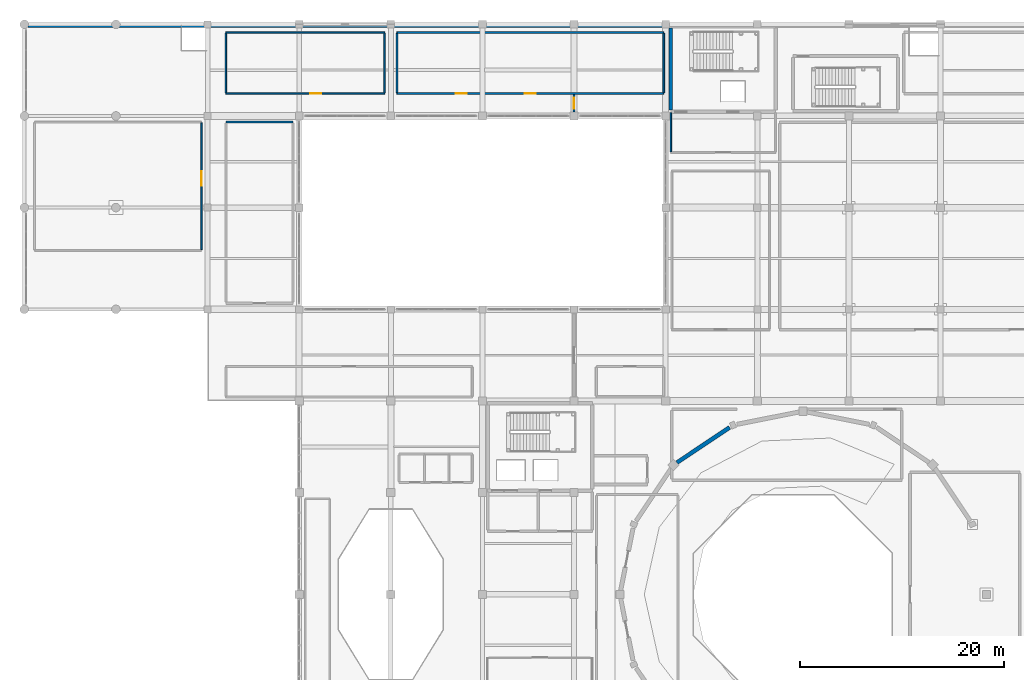
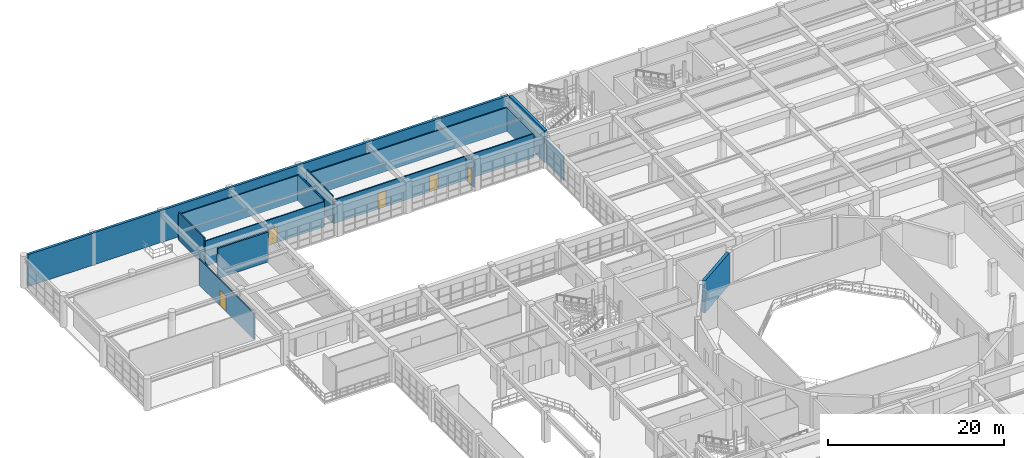
# One storey, part 112 of 133: 15 walls, 5 doors, 5 openings.
"""IFC4 building model written with IfcOpenShell, lengths in metres."""

from ifc_helpers import new_model, si_unit, direction, frame, frame_2d, origin, place, context, subcontext, project, spatial, rectangle, extrude, material, layer, layer_set, type_object, element, fill, save


model = new_model("IFC4")

# Units and contexts
model_context = context("Model", 3, precision=1e-05, world=origin(), true_north=direction((0.0, 1.0)))
body_context = subcontext(model_context, "Body", "Model", "MODEL_VIEW")
ifc_project = project(units=[si_unit("LENGTHUNIT", "METRE"), si_unit("AREAUNIT", "SQUARE_METRE"), si_unit("VOLUMEUNIT", "CUBIC_METRE"), si_unit("PLANEANGLEUNIT", "RADIAN"), si_unit("MASSUNIT", "GRAM", prefix="KILO")], contexts=[model_context])

# Site, building, storey
site_placement = place(None, origin())
site = spatial("IfcSite", under=ifc_project, at=site_placement, CompositionType="ELEMENT")
building_placement = place(site_placement, origin())
building = spatial("IfcBuilding", under=site, at=building_placement, Name="Miravela Opera House", CompositionType="ELEMENT")
storey_placement = place(building_placement, frame((0.0, 0.0, 5.10009765625)))
storey = spatial("IfcBuildingStorey", under=building, at=storey_placement, Name="L01", CompositionType="ELEMENT", Elevation=5.10009765625)

# Wall
ifc_material_1 = material(Name="Studio double-stud acoustic partition")
ifc_layer_1 = layer(ifc_material_1, 0.14990234375)
ifc_layer_set_1 = layer_set([ifc_layer_1])
wall_type_1 = type_object("IfcWallType", Name="ARC-PT-145", PredefinedType="PARTITIONING", material=ifc_layer_set_1)
wall_1_placement = place(storey_placement, frame((63.5, 99.47509765625, 0.0), z_axis=(0.0, 0.0, 1.0), x_axis=(0.0, 1.0, 0.0)))
element("IfcWall", 1, at=wall_1_placement, inside=storey, type_object=wall_type_1, Name="Passenger Lift Lobby K5 L01 Partition West", PredefinedType="PARTITIONING", context=body_context, shape_type="SweptSolid", body=[
    extrude(rectangle(XDim=3.849853515625, YDim=0.14990234375, at=frame_2d((1.9248046875, 0.0))), origin(), (0.0, 0.0, 1.0), 3.289794921875),
])

# Wall, opening, door
wall_2_placement = place(storey_placement, frame((19.800048828125, 105.199951171875, 0.0), z_axis=(0.0, 0.0, 1.0), x_axis=(1.0, 0.0, 0.0)))
wall_2 = element("IfcWall", 2, at=wall_2_placement, inside=storey, type_object=wall_type_1, Name="Vocal Coaching Studio 1 Partition South", PredefinedType="PARTITIONING", context=body_context, shape_type="SweptSolid", body=[
    extrude(rectangle(XDim=15.599853515625, YDim=0.14990234375, at=frame_2d((7.7998046875, 0.0))), origin(), (0.0, 0.0, 1.0), 3.489990234375),
])
opening_1_placement = place(wall_2_placement, frame((8.2744140625, 0.0, 0.0)))
opening_1 = element("IfcOpeningElement", 3, at=opening_1_placement, cuts=wall_2, Name="Opening ID-03", PredefinedType="OPENING", context=body_context, shape_type="SweptSolid", body=[
    extrude(rectangle(XDim=1.10009765625, YDim=2.199951171875, at=frame_2d((0.550048828125, 1.10009765625))), frame((0.0, 0.0849609375, 0.0), z_axis=(0.0, -1.0, 0.0), x_axis=(1.0, 0.0, 0.0)), (0.0, 0.0, 1.0), 0.169921875),
])
ifc_material_2 = material(Name="Acoustic hardwood studio door", Category="wood")
door_type_1 = type_object("IfcDoorType", Name="ARC-DR-1100X2200", OperationType="NOTDEFINED", PredefinedType="DOOR", material=ifc_material_2)
door_1_placement = place(opening_1_placement, origin())
door_1 = element("IfcDoor", 4, at=door_1_placement, inside=storey, type_object=door_type_1, Name="Vocal Coaching Studio 1 Entry Door IDR-L01-0170", OperationType="SINGLE_SWING_RIGHT", OverallHeight=2.199951171875, OverallWidth=1.10009765625, PredefinedType="DOOR", context=body_context, shape_type="SweptSolid", body=[
    extrude(rectangle(XDim=1.10009765625, YDim=2.199951171875, at=frame_2d((0.550048828125, 1.10009765625))), frame((0.0, 0.02490234375, 0.0), z_axis=(0.0, -1.0, 0.0), x_axis=(1.0, 0.0, 0.0)), (0.0, 0.0, 1.0), 0.050048828125),
])
fill(opening_1, door_1)

# Walls
wall_3_placement = place(storey_placement, frame((19.800048828125, 111.199951171875, 0.0), z_axis=(0.0, 0.0, 1.0), x_axis=(1.0, 0.0, 0.0)))
element("IfcWall", 5, at=wall_3_placement, inside=storey, type_object=wall_type_1, Name="Vocal Coaching Studio 1 Partition North", PredefinedType="PARTITIONING", context=body_context, shape_type="SweptSolid", body=[
    extrude(rectangle(XDim=15.599853515625, YDim=0.14990234375, at=frame_2d((7.7998046875, 0.0))), origin(), (0.0, 0.0, 1.0), 3.489990234375),
])
wall_4_placement = place(storey_placement, frame((19.800048828125, 105.27490234375, 0.0), z_axis=(0.0, 0.0, 1.0), x_axis=(0.0, 1.0, 0.0)))
element("IfcWall", 6, at=wall_4_placement, inside=storey, type_object=wall_type_1, Name="Vocal Coaching Studio 1 Partition West", PredefinedType="PARTITIONING", context=body_context, shape_type="SweptSolid", body=[
    extrude(rectangle(XDim=5.85009765625, YDim=0.14990234375, at=frame_2d((2.925048828125, 0.0))), origin(), (0.0, 0.0, 1.0), 3.886962890625),
])
wall_5_placement = place(storey_placement, frame((35.39990234375, 105.27490234375, 0.0), z_axis=(0.0, 0.0, 1.0), x_axis=(0.0, 1.0, 0.0)))
element("IfcWall", 7, at=wall_5_placement, inside=storey, type_object=wall_type_1, Name="Vocal Coaching Studio 1 Partition East", PredefinedType="PARTITIONING", context=body_context, shape_type="SweptSolid", body=[
    extrude(rectangle(XDim=5.85009765625, YDim=0.14990234375, at=frame_2d((2.925048828125, 0.0))), origin(), (0.0, 0.0, 1.0), 3.679931640625),
])

# Wall, opening, door
wall_6_placement = place(storey_placement, frame((17.39990234375, 89.875, 0.0), z_axis=(0.0, 0.0, 1.0), x_axis=(0.0, 1.0, 0.0)))
wall_6 = element("IfcWall", 8, at=wall_6_placement, inside=storey, type_object=wall_type_1, Name="Community Opera Lecture Room Partition East", PredefinedType="PARTITIONING", context=body_context, shape_type="SweptSolid", body=[
    extrude(rectangle(XDim=12.449951171875, YDim=0.14990234375, at=frame_2d((6.22509765625, 0.0))), origin(), (0.0, 0.0, 1.0), 3.616943359375),
])
opening_2_placement = place(wall_6_placement, frame((6.290771484375, 0.0, 0.0)))
opening_2 = element("IfcOpeningElement", 9, at=opening_2_placement, cuts=wall_6, Name="Opening ID-05", PredefinedType="OPENING", context=body_context, shape_type="SweptSolid", body=[
    extrude(rectangle(XDim=1.39990234375, YDim=2.199951171875, at=frame_2d((0.699951171875, 1.10009765625))), frame((0.0, 0.0849609375, 0.0), z_axis=(0.0, -1.0, 0.0), x_axis=(1.0, 0.0, 0.0)), (0.0, 0.0, 1.0), 0.169921875),
])
ifc_material_3 = material(Name="Double-leaf glazed mahogany salon door")
door_type_2 = type_object("IfcDoorType", Name="ARC-DR-1400X2200", OperationType="NOTDEFINED", PredefinedType="DOOR", material=ifc_material_3)
door_2_placement = place(opening_2_placement, origin())
door_2 = element("IfcDoor", 10, at=door_2_placement, inside=storey, type_object=door_type_2, Name="Community Opera Lecture Room Entry Door IDR-L01-0185", OperationType="DOUBLE_DOOR_SINGLE_SWING", OverallHeight=2.199951171875, OverallWidth=1.39990234375, PredefinedType="DOOR", context=body_context, shape_type="SweptSolid", body=[
    extrude(rectangle(XDim=1.39990234375, YDim=2.199951171875, at=frame_2d((0.699951171875, 1.10009765625))), frame((0.0, 0.02490234375, 0.0), z_axis=(0.0, -1.0, 0.0), x_axis=(1.0, 0.0, 0.0)), (0.0, 0.0, 1.0), 0.050048828125),
])
fill(opening_2, door_2)

# Wall, openings, doors
ifc_material_4 = material(Name="Rehearsal isolated acoustic partition")
ifc_layer_2 = layer(ifc_material_4, 0.169921875)
ifc_layer_set_2 = layer_set([ifc_layer_2])
wall_type_2 = type_object("IfcWallType", Name="ARC-PT-170", PredefinedType="PARTITIONING", material=ifc_layer_set_2)
wall_7_placement = place(storey_placement, frame((36.60009765625, 105.199951171875, 0.0), z_axis=(0.0, 0.0, 1.0), x_axis=(1.0, 0.0, 0.0)))
wall_7 = element("IfcWall", 11, at=wall_7_placement, inside=storey, type_object=wall_type_2, Name="Vocal Coaching Studio 2 Partition South", PredefinedType="PARTITIONING", context=body_context, shape_type="SweptSolid", body=[
    extrude(rectangle(XDim=26.199951171875, YDim=0.169921875, at=frame_2d((13.10009765625, 0.0))), origin(), (0.0, 0.0, 1.0), 3.289794921875),
])
opening_3_placement = place(wall_7_placement, frame((12.550048828125, 0.0, 0.0)))
opening_3 = element("IfcOpeningElement", 12, at=opening_3_placement, cuts=wall_7, Name="Opening ID-03", PredefinedType="OPENING", context=body_context, shape_type="SweptSolid", body=[
    extrude(rectangle(XDim=1.10009765625, YDim=2.199951171875, at=frame_2d((0.550048828125, 1.10009765625))), frame((0.0, 0.094970703125, 0.0), z_axis=(0.0, -1.0, 0.0), x_axis=(1.0, 0.0, 0.0)), (0.0, 0.0, 1.0), 0.18994140625),
])
opening_4_placement = place(wall_7_placement, frame((5.763916015625, 0.0, 0.0)))
opening_4 = element("IfcOpeningElement", 13, at=opening_4_placement, cuts=wall_7, Name="Opening ID-03", PredefinedType="OPENING", context=body_context, shape_type="SweptSolid", body=[
    extrude(rectangle(XDim=1.10009765625, YDim=2.199951171875, at=frame_2d((0.550048828125, 1.10009765625))), frame((0.0, 0.094970703125, 0.0), z_axis=(0.0, -1.0, 0.0), x_axis=(1.0, 0.0, 0.0)), (0.0, 0.0, 1.0), 0.18994140625),
])
door_3_placement = place(opening_3_placement, origin())
door_3 = element("IfcDoor", 14, at=door_3_placement, inside=storey, type_object=door_type_1, Name="Vocal Coaching Studio 2 Entry Door IDR-L01-0171", OperationType="SINGLE_SWING_LEFT", OverallHeight=2.199951171875, OverallWidth=1.10009765625, PredefinedType="DOOR", context=body_context, shape_type="SweptSolid", body=[
    extrude(rectangle(XDim=1.10009765625, YDim=2.199951171875, at=frame_2d((0.550048828125, 1.10009765625))), frame((0.0, 0.02490234375, 0.0), z_axis=(0.0, -1.0, 0.0), x_axis=(1.0, 0.0, 0.0)), (0.0, 0.0, 1.0), 0.050048828125),
])
fill(opening_3, door_3)
door_4_placement = place(opening_4_placement, origin())
door_4 = element("IfcDoor", 15, at=door_4_placement, inside=storey, type_object=door_type_1, Name="Vocal Coaching Studio 2 Secondary Exit Door IDR-L01-0172", OperationType="SINGLE_SWING_RIGHT", OverallHeight=2.199951171875, OverallWidth=1.10009765625, PredefinedType="DOOR", context=body_context, shape_type="SweptSolid", body=[
    extrude(rectangle(XDim=1.10009765625, YDim=2.199951171875, at=frame_2d((0.550048828125, 1.10009765625))), frame((0.0, 0.02490234375, 0.0), z_axis=(0.0, -1.0, 0.0), x_axis=(1.0, 0.0, 0.0)), (0.0, 0.0, 1.0), 0.050048828125),
])
fill(opening_4, door_4)

# Walls
wall_8_placement = place(storey_placement, frame((36.60009765625, 111.199951171875, 0.0), z_axis=(0.0, 0.0, 1.0), x_axis=(1.0, 0.0, 0.0)))
element("IfcWall", 16, at=wall_8_placement, inside=storey, type_object=wall_type_2, Name="Vocal Coaching Studio 2 Partition North", PredefinedType="PARTITIONING", context=body_context, shape_type="SweptSolid", body=[
    extrude(rectangle(XDim=26.199951171875, YDim=0.169921875, at=frame_2d((13.10009765625, 0.0))), origin(), (0.0, 0.0, 1.0), 3.289794921875),
])
wall_9_placement = place(storey_placement, frame((36.60009765625, 105.284912109375, 0.0), z_axis=(0.0, 0.0, 1.0), x_axis=(0.0, 1.0, 0.0)))
element("IfcWall", 17, at=wall_9_placement, inside=storey, type_object=wall_type_2, Name="Vocal Coaching Studio 2 Partition West", PredefinedType="PARTITIONING", context=body_context, shape_type="SweptSolid", body=[
    extrude(rectangle(XDim=5.830078125, YDim=0.169921875, at=frame_2d((2.9150390625, 0.0))), origin(), (0.0, 0.0, 1.0), 3.831787109375),
])
wall_10_placement = place(storey_placement, frame((62.800048828125, 105.284912109375, 0.0), z_axis=(0.0, 0.0, 1.0), x_axis=(0.0, 1.0, 0.0)))
element("IfcWall", 18, at=wall_10_placement, inside=storey, type_object=wall_type_2, Name="Vocal Coaching Studio 2 Partition East", PredefinedType="PARTITIONING", context=body_context, shape_type="SweptSolid", body=[
    extrude(rectangle(XDim=5.830078125, YDim=0.169921875, at=frame_2d((2.9150390625, 0.0))), origin(), (0.0, 0.0, 1.0), 3.289794921875),
])

# Wall, opening, door
ifc_material_5 = material(Name="Corridor fire-resisting masonry partition", Category="masonry")
ifc_layer_3 = layer(ifc_material_5, 0.18994140625)
ifc_layer_set_3 = layer_set([ifc_layer_3])
wall_type_3 = type_object("IfcWallType", Name="ARC-PT-190", PredefinedType="PARTITIONING", material=ifc_layer_set_3)
wall_11_placement = place(storey_placement, frame((54.0, 103.39990234375, 0.0), z_axis=(0.0, 0.0, 1.0), x_axis=(0.0, 1.0, 0.0)))
wall_11 = element("IfcWall", 19, at=wall_11_placement, inside=storey, type_object=wall_type_3, Name="Corridor Fire Smoke Compartment Partition PT-SMOKE-L01-0961", PredefinedType="PARTITIONING", context=body_context, shape_type="SweptSolid", body=[
    extrude(rectangle(XDim=1.72021484375, YDim=0.18994140625, at=frame_2d((0.860107421875, 0.0))), origin(), (0.0, 0.0, 1.0), 3.289794921875),
])
opening_5_placement = place(wall_11_placement, frame((0.31005859375, 0.0, 0.0)))
opening_5 = element("IfcOpeningElement", 20, at=opening_5_placement, cuts=wall_11, Name="Opening FD-01", PredefinedType="OPENING", context=body_context, shape_type="SweptSolid", body=[
    extrude(rectangle(XDim=1.10009765625, YDim=2.199951171875, at=frame_2d((0.550048828125, 1.10009765625))), frame((0.0, 0.10498046875, 0.0), z_axis=(0.0, -1.0, 0.0), x_axis=(1.0, 0.0, 0.0)), (0.0, 0.0, 1.0), 0.2099609375),
])
ifc_material_6 = material(Name="Fire-rated steel/hardwood exit stair door", Category="steel")
door_type_3 = type_object("IfcDoorType", Name="ARC-FD-1100X2200", OperationType="NOTDEFINED", PredefinedType="DOOR", material=ifc_material_6)
door_5_placement = place(opening_5_placement, frame((1.10009765625, 0.0, 0.0), z_axis=(0.0, 0.0, 1.0), x_axis=(-1.0, 0.0, 0.0)))
door_5 = element("IfcDoor", 21, at=door_5_placement, inside=storey, type_object=door_type_3, Name="Corridor Smoke Compartment Door 05 IDR-L01-0351", OperationType="SINGLE_SWING_LEFT", OverallHeight=2.199951171875, OverallWidth=1.10009765625, PredefinedType="DOOR", context=body_context, shape_type="SweptSolid", body=[
    extrude(rectangle(XDim=1.10009765625, YDim=2.199951171875, at=frame_2d((0.550048828125, 1.10009765625))), frame((0.0, 0.02490234375, 0.0), z_axis=(0.0, -1.0, 0.0), x_axis=(1.0, 0.0, 0.0)), (0.0, 0.0, 1.0), 0.050048828125),
])
fill(opening_5, door_5)

# Walls
ifc_material_7 = material(Name="Workshop fire-resisting block partition")
ifc_layer_4 = layer(ifc_material_7, 0.2099609375)
ifc_layer_set_4 = layer_set([ifc_layer_4])
wall_type_4 = type_object("IfcWallType", Name="ARC-PT-210", PredefinedType="PARTITIONING", material=ifc_layer_set_4)
wall_12_placement = place(storey_placement, frame((19.800048828125, 102.39990234375, 0.0), z_axis=(0.0, 0.0, 1.0), x_axis=(1.0, 0.0, 0.0)))
element("IfcWall", 22, at=wall_12_placement, inside=storey, type_object=wall_type_4, Name="Soloist Vocal Warm-Up Suite Partition North", PredefinedType="PARTITIONING", context=body_context, shape_type="SweptSolid", body=[
    extrude(rectangle(XDim=6.599853515625, YDim=0.2099609375, at=frame_2d((3.2998046875, 0.0))), origin(), (0.0, 0.0, 1.0), 4.159912109375),
])
ifc_material_8 = material(Name="Concrete C40/50", Category="concrete")
ifc_layer_5 = layer(ifc_material_8, 0.35009765625)
ifc_layer_set_5 = layer_set([ifc_layer_5])
wall_type_5 = type_object("IfcWallType", Name="STR-WALL-CORE-350", PredefinedType="SHEAR", material=ifc_layer_set_5)
wall_13_placement = place(storey_placement, frame((63.5, 103.574951171875, 0.0), z_axis=(0.0, 0.0, 1.0), x_axis=(0.0, 1.0, 0.0)))
element("IfcWall", 23, at=wall_13_placement, inside=storey, type_object=wall_type_5, Name="Core K5 Shear Wall West (L01)", PredefinedType="SHEAR", context=body_context, shape_type="SweptSolid", body=[
    extrude(rectangle(XDim=8.050048828125, YDim=0.35009765625, at=frame_2d((4.02490234375, 0.0))), origin(), (0.0, 0.0, 1.0), 4.419921875),
])
ifc_layer_6 = layer(ifc_material_8, 0.39990234375)
ifc_layer_set_6 = layer_set([ifc_layer_6])
wall_type_6 = type_object("IfcWallType", Name="STR-WALL-DRUM-400", PredefinedType="SHEAR", material=ifc_layer_set_6)
wall_14_placement = place(storey_placement, frame((69.279052734375, 72.40771484375, 0.0), z_axis=(0.0, 0.0, 1.0), x_axis=(-0.831458341015, -0.555587101324, 0.0)))
element("IfcWall", 24, at=wall_14_placement, inside=storey, type_object=wall_type_6, Name="Auditorium Drum Shear Wall L01 Seg 6", PredefinedType="SHEAR", context=body_context, shape_type="SweptSolid", body=[
    extrude(rectangle(XDim=6.22314453125, YDim=0.39990234375, at=frame_2d((3.111572265625, 0.0))), origin(), (0.0, 0.0, 1.0), 4.419921875),
])
ifc_material_9 = material(Name="Concrete C35/45", Category="concrete")
ifc_layer_7 = layer(ifc_material_9, 0.320068359375)
ifc_layer_set_7 = layer_set([ifc_layer_7])
wall_type_7 = type_object("IfcWallType", Name="STR-WALL-PARTY-320", PredefinedType="SHEAR", material=ifc_layer_set_7)
wall_15_placement = place(storey_placement, frame((0.35009765625, 111.840087890625, 0.0), z_axis=(0.0, 0.0, 1.0), x_axis=(1.0, 0.0, 0.0)))
element("IfcWall", 25, at=wall_15_placement, inside=storey, type_object=wall_type_7, Name="North Lot-Line Blind Fire Party Wall West (L01)", PredefinedType="SHEAR", context=body_context, shape_type="SweptSolid", body=[
    extrude(rectangle(XDim=62.949951171875, YDim=0.320068359375, at=frame_2d((31.47509765625, 0.0))), origin(), (0.0, 0.0, 1.0), 4.419921875),
])

save(model, "model.ifc")
